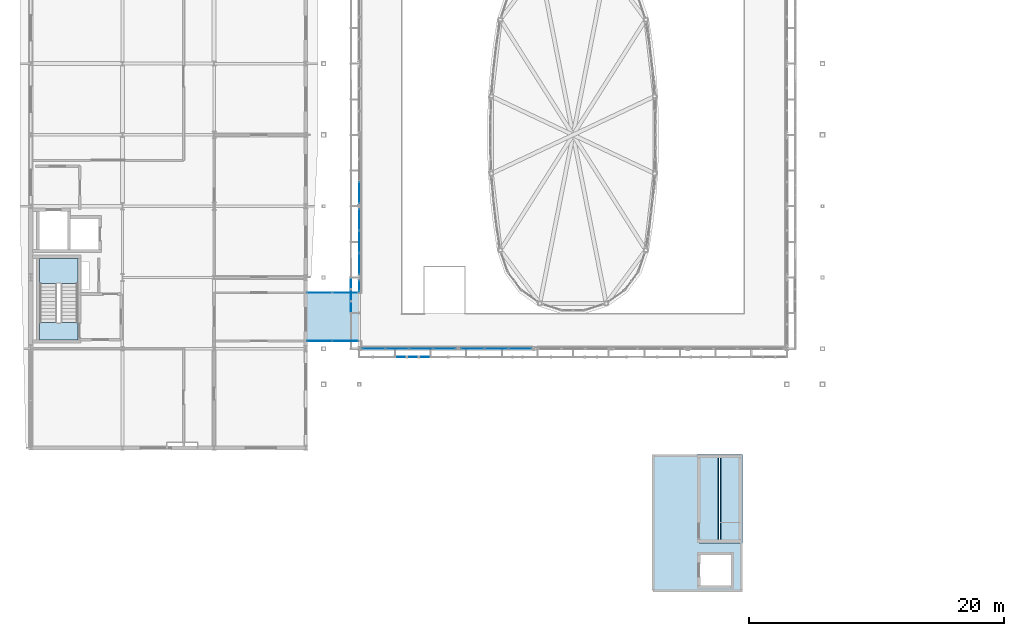
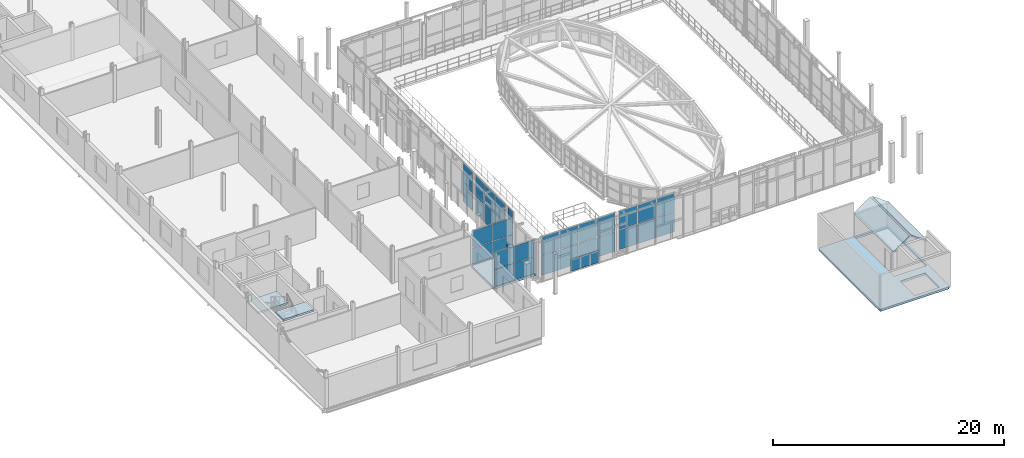
# One storey, part 50 of 78: 34 plates, 6 slabs, 8 elements without a shape of their own.
"""IFC4 building model written with IfcOpenShell, lengths in metres."""

from ifc_helpers import new_model, si_unit, direction, frame, origin, origin_2d, place, context, subcontext, project, spatial, polyline, rectangle, outline, extrude, material, layer, layer_set, type_object, element, aggregate, save


model = new_model("IFC4")

# Units and contexts
model_context = context("Model", 3, precision=1e-05, world=origin(), true_north=direction((0.0, 1.0)))
body_context = subcontext(model_context, "Body", "Model", "MODEL_VIEW")
ifc_project = project(units=[si_unit("LENGTHUNIT", "METRE"), si_unit("AREAUNIT", "SQUARE_METRE"), si_unit("VOLUMEUNIT", "CUBIC_METRE"), si_unit("PLANEANGLEUNIT", "RADIAN"), si_unit("MASSUNIT", "GRAM", prefix="KILO")], contexts=[model_context])

# Site, building, storey
site_placement = place(None, origin())
site = spatial("IfcSite", under=ifc_project, at=site_placement, CompositionType="ELEMENT")
building_placement = place(site_placement, origin())
building = spatial("IfcBuilding", under=site, at=building_placement, Name="Vinh Khe Railworks Police Headquarters", CompositionType="ELEMENT")
storey_placement = place(building_placement, frame((0.0, 0.0, 13.199951171875)))
storey = spatial("IfcBuildingStorey", under=building, at=storey_placement, Name="L03", CompositionType="ELEMENT", Elevation=13.199951171875)

# Curtain wall, plates
ifc_material_1 = material(Name="Anodised aluminium and low-iron glass", Category="aluminium")
ifc_layer_1 = layer(ifc_material_1, 0.179931640625)
ifc_layer_set_1 = layer_set([ifc_layer_1], Name="Anodised aluminium and low-iron glass")
curtain_wall_type_1 = type_object("IfcCurtainWallType", Name="CW-CUBE-UNIT", PredefinedType="USERDEFINED", material=ifc_layer_set_1)
curtain_wall_1_placement = place(storey_placement, origin())
curtain_wall_1 = element("IfcCurtainWall", 1, at=curtain_wall_1_placement, inside=storey, type_object=curtain_wall_type_1, Name="Entrance Hall Curtain Wall L03 S-1", ObjectType="UNITISED GLAZING", PredefinedType="USERDEFINED")
ifc_material_2 = material(Name="Low-iron laminated solar-control glass", Category="glass")
ifc_layer_2 = layer(ifc_material_2, 0.028076171875)
ifc_layer_set_2 = layer_set([ifc_layer_2], Name="Low-iron laminated solar-control glass")
plate_type_1 = type_object("IfcPlateType", Name="PAN-GLZ-28", PredefinedType="CURTAIN_PANEL", material=ifc_layer_set_2)
plate_1_placement = place(storey_placement, frame((27.536865234375, 25.199951171875, 0.070068359375), z_axis=(0.0, 0.0, 1.0), x_axis=(1.0, 0.0, 0.0)))
plate_1 = element("IfcPlate", 2, at=plate_1_placement, type_object=plate_type_1, Name="CW-01 panel 1.1", PredefinedType="CURTAIN_PANEL", context=body_context, shape_type="SweptSolid", body=[
    extrude(rectangle(XDim=1.763671875, YDim=0.028076171875, at=origin_2d()), origin(), (0.0, 0.0, 1.0), 2.0791015625),
])
plate_2_placement = place(storey_placement, frame((27.536865234375, 25.199951171875, 2.21923828125), z_axis=(0.0, 0.0, 1.0), x_axis=(1.0, 0.0, 0.0)))
plate_2 = element("IfcPlate", 3, at=plate_2_placement, type_object=plate_type_1, Name="CW-01 panel 1.2", PredefinedType="CURTAIN_PANEL", context=body_context, shape_type="SweptSolid", body=[
    extrude(rectangle(XDim=1.763671875, YDim=0.028076171875, at=origin_2d()), origin(), (0.0, 0.0, 1.0), 1.910888671875),
])
plate_3_placement = place(storey_placement, frame((29.38818359375, 25.199951171875, 0.070068359375), z_axis=(0.0, 0.0, 1.0), x_axis=(1.0, 0.0, 0.0)))
plate_3 = element("IfcPlate", 4, at=plate_3_placement, type_object=plate_type_1, Name="CW-01 panel 2.1", PredefinedType="CURTAIN_PANEL", context=body_context, shape_type="SweptSolid", body=[
    extrude(rectangle(XDim=1.798828125, YDim=0.028076171875, at=origin_2d()), origin(), (0.0, 0.0, 1.0), 2.0791015625),
])
plate_4_placement = place(storey_placement, frame((29.38818359375, 25.199951171875, 2.21923828125), z_axis=(0.0, 0.0, 1.0), x_axis=(1.0, 0.0, 0.0)))
plate_4 = element("IfcPlate", 5, at=plate_4_placement, type_object=plate_type_1, Name="CW-01 panel 2.2", PredefinedType="CURTAIN_PANEL", context=body_context, shape_type="SweptSolid", body=[
    extrude(rectangle(XDim=1.798828125, YDim=0.028076171875, at=origin_2d()), origin(), (0.0, 0.0, 1.0), 1.910888671875),
])
plate_5_placement = place(storey_placement, frame((31.2568359375, 25.199951171875, 0.070068359375), z_axis=(0.0, 0.0, 1.0), x_axis=(1.0, 0.0, 0.0)))
plate_5 = element("IfcPlate", 6, at=plate_5_placement, type_object=plate_type_1, Name="CW-01 panel 3.1", PredefinedType="CURTAIN_PANEL", context=body_context, shape_type="SweptSolid", body=[
    extrude(rectangle(XDim=1.798828125, YDim=0.028076171875, at=origin_2d()), origin(), (0.0, 0.0, 1.0), 2.0791015625),
])
plate_6_placement = place(storey_placement, frame((31.2568359375, 25.199951171875, 2.21923828125), z_axis=(0.0, 0.0, 1.0), x_axis=(1.0, 0.0, 0.0)))
plate_6 = element("IfcPlate", 7, at=plate_6_placement, type_object=plate_type_1, Name="CW-01 panel 3.2", PredefinedType="CURTAIN_PANEL", context=body_context, shape_type="SweptSolid", body=[
    extrude(rectangle(XDim=1.798828125, YDim=0.028076171875, at=origin_2d()), origin(), (0.0, 0.0, 1.0), 1.910888671875),
])
plate_7_placement = place(storey_placement, frame((33.108154296875, 25.199951171875, 0.070068359375), z_axis=(0.0, 0.0, 1.0), x_axis=(1.0, 0.0, 0.0)))
plate_7 = element("IfcPlate", 8, at=plate_7_placement, type_object=plate_type_1, Name="CW-01 panel 4.1", PredefinedType="CURTAIN_PANEL", context=body_context, shape_type="SweptSolid", body=[
    extrude(rectangle(XDim=1.763671875, YDim=0.028076171875, at=origin_2d()), origin(), (0.0, 0.0, 1.0), 2.0791015625),
])
plate_8_placement = place(storey_placement, frame((33.108154296875, 25.199951171875, 2.21923828125), z_axis=(0.0, 0.0, 1.0), x_axis=(1.0, 0.0, 0.0)))
plate_8 = element("IfcPlate", 9, at=plate_8_placement, type_object=plate_type_1, Name="CW-01 panel 4.2", PredefinedType="CURTAIN_PANEL", context=body_context, shape_type="SweptSolid", body=[
    extrude(rectangle(XDim=1.763671875, YDim=0.028076171875, at=origin_2d()), origin(), (0.0, 0.0, 1.0), 1.910888671875),
])
aggregate(curtain_wall_1, [plate_1, plate_2, plate_3, plate_4, plate_5, plate_6, plate_7, plate_8])

curtain_wall_2_placement = place(storey_placement, origin())
curtain_wall_2 = element("IfcCurtainWall", 10, at=curtain_wall_2_placement, inside=storey, type_object=curtain_wall_type_1, Name="Entrance Hall Curtain Wall L03 S-2", ObjectType="UNITISED GLAZING", PredefinedType="USERDEFINED")
plate_9_placement = place(storey_placement, frame((35.3017578125, 25.199951171875, 0.070068359375), z_axis=(0.0, 0.0, 1.0), x_axis=(1.0, 0.0, 0.0)))
plate_9 = element("IfcPlate", 11, at=plate_9_placement, type_object=plate_type_1, Name="CW-01 panel 1.1", PredefinedType="CURTAIN_PANEL", context=body_context, shape_type="SweptSolid", body=[
    extrude(rectangle(XDim=1.783447265625, YDim=0.028076171875, at=origin_2d()), origin(), (0.0, 0.0, 1.0), 2.0791015625),
])
plate_10_placement = place(storey_placement, frame((35.3017578125, 25.199951171875, 2.21923828125), z_axis=(0.0, 0.0, 1.0), x_axis=(1.0, 0.0, 0.0)))
plate_10 = element("IfcPlate", 12, at=plate_10_placement, type_object=plate_type_1, Name="CW-01 panel 1.2", PredefinedType="CURTAIN_PANEL", context=body_context, shape_type="SweptSolid", body=[
    extrude(rectangle(XDim=1.783447265625, YDim=0.028076171875, at=origin_2d()), origin(), (0.0, 0.0, 1.0), 1.910888671875),
])
plate_11_placement = place(storey_placement, frame((37.172607421875, 25.199951171875, 0.070068359375), z_axis=(0.0, 0.0, 1.0), x_axis=(1.0, 0.0, 0.0)))
plate_11 = element("IfcPlate", 13, at=plate_11_placement, type_object=plate_type_1, Name="CW-01 panel 2.1", PredefinedType="CURTAIN_PANEL", context=body_context, shape_type="SweptSolid", body=[
    extrude(rectangle(XDim=1.818359375, YDim=0.028076171875, at=origin_2d()), origin(), (0.0, 0.0, 1.0), 2.0791015625),
])
plate_12_placement = place(storey_placement, frame((37.172607421875, 25.199951171875, 2.21923828125), z_axis=(0.0, 0.0, 1.0), x_axis=(1.0, 0.0, 0.0)))
plate_12 = element("IfcPlate", 14, at=plate_12_placement, type_object=plate_type_1, Name="CW-01 panel 2.2", PredefinedType="CURTAIN_PANEL", context=body_context, shape_type="SweptSolid", body=[
    extrude(rectangle(XDim=1.818359375, YDim=0.028076171875, at=origin_2d()), origin(), (0.0, 0.0, 1.0), 1.910888671875),
])
plate_13_placement = place(storey_placement, frame((39.043212890625, 25.199951171875, 0.070068359375), z_axis=(0.0, 0.0, 1.0), x_axis=(1.0, 0.0, 0.0)))
plate_13 = element("IfcPlate", 15, at=plate_13_placement, type_object=plate_type_1, Name="CW-01 panel 3.1", PredefinedType="CURTAIN_PANEL", context=body_context, shape_type="SweptSolid", body=[
    extrude(rectangle(XDim=1.783447265625, YDim=0.028076171875, at=origin_2d()), origin(), (0.0, 0.0, 1.0), 2.0791015625),
])
plate_14_placement = place(storey_placement, frame((39.043212890625, 25.199951171875, 2.21923828125), z_axis=(0.0, 0.0, 1.0), x_axis=(1.0, 0.0, 0.0)))
plate_14 = element("IfcPlate", 16, at=plate_14_placement, type_object=plate_type_1, Name="CW-01 panel 3.2", PredefinedType="CURTAIN_PANEL", context=body_context, shape_type="SweptSolid", body=[
    extrude(rectangle(XDim=1.783447265625, YDim=0.028076171875, at=origin_2d()), origin(), (0.0, 0.0, 1.0), 1.910888671875),
])
aggregate(curtain_wall_2, [plate_9, plate_10, plate_11, plate_12, plate_13, plate_14])

curtain_wall_3_placement = place(storey_placement, origin())
curtain_wall_3 = element("IfcCurtainWall", 17, at=curtain_wall_3_placement, inside=storey, type_object=curtain_wall_type_1, Name="Entrance Hall Curtain Wall L03 W-1N", ObjectType="UNITISED GLAZING", PredefinedType="USERDEFINED")
plate_15_placement = place(storey_placement, frame((26.39990234375, 30.125, 0.070068359375), z_axis=(0.0, 0.0, 1.0), x_axis=(0.0, 1.0, 0.0)))
plate_15 = element("IfcPlate", 18, at=plate_15_placement, type_object=plate_type_1, Name="CW-01 panel 1.1", PredefinedType="CURTAIN_PANEL", context=body_context, shape_type="SweptSolid", body=[
    extrude(rectangle(XDim=0.8701171875, YDim=0.028076171875, at=origin_2d()), origin(), (0.0, 0.0, 1.0), 2.0791015625),
])
plate_16_placement = place(storey_placement, frame((26.39990234375, 30.125, 2.21923828125), z_axis=(0.0, 0.0, 1.0), x_axis=(0.0, 1.0, 0.0)))
plate_16 = element("IfcPlate", 19, at=plate_16_placement, type_object=plate_type_1, Name="CW-01 panel 1.2", PredefinedType="CURTAIN_PANEL", context=body_context, shape_type="SweptSolid", body=[
    extrude(rectangle(XDim=0.8701171875, YDim=0.028076171875, at=origin_2d()), origin(), (0.0, 0.0, 1.0), 1.910888671875),
])
aggregate(curtain_wall_3, [plate_15, plate_16])

curtain_wall_4_placement = place(storey_placement, origin())
curtain_wall_4 = element("IfcCurtainWall", 20, at=curtain_wall_4_placement, inside=storey, type_object=curtain_wall_type_1, Name="Entrance Hall Curtain Wall L03 W-2", ObjectType="UNITISED GLAZING", PredefinedType="USERDEFINED")
plate_17_placement = place(storey_placement, frame((26.39990234375, 31.86572265625, 0.070068359375), z_axis=(0.0, 0.0, 1.0), x_axis=(0.0, 1.0, 0.0)))
plate_17 = element("IfcPlate", 21, at=plate_17_placement, type_object=plate_type_1, Name="CW-01 panel 1.1", PredefinedType="CURTAIN_PANEL", context=body_context, shape_type="SweptSolid", body=[
    extrude(rectangle(XDim=1.651611328125, YDim=0.028076171875, at=origin_2d()), origin(), (0.0, 0.0, 1.0), 2.0791015625),
])
plate_18_placement = place(storey_placement, frame((26.39990234375, 31.86572265625, 2.21923828125), z_axis=(0.0, 0.0, 1.0), x_axis=(0.0, 1.0, 0.0)))
plate_18 = element("IfcPlate", 22, at=plate_18_placement, type_object=plate_type_1, Name="CW-01 panel 1.2", PredefinedType="CURTAIN_PANEL", context=body_context, shape_type="SweptSolid", body=[
    extrude(rectangle(XDim=1.651611328125, YDim=0.028076171875, at=origin_2d()), origin(), (0.0, 0.0, 1.0), 1.910888671875),
])
plate_19_placement = place(storey_placement, frame((26.39990234375, 33.60498046875, 0.070068359375), z_axis=(0.0, 0.0, 1.0), x_axis=(0.0, 1.0, 0.0)))
plate_19 = element("IfcPlate", 23, at=plate_19_placement, type_object=plate_type_1, Name="CW-01 panel 2.1", PredefinedType="CURTAIN_PANEL", context=body_context, shape_type="SweptSolid", body=[
    extrude(rectangle(XDim=1.686767578125, YDim=0.028076171875, at=origin_2d()), origin(), (0.0, 0.0, 1.0), 2.0791015625),
])
plate_20_placement = place(storey_placement, frame((26.39990234375, 33.60498046875, 2.21923828125), z_axis=(0.0, 0.0, 1.0), x_axis=(0.0, 1.0, 0.0)))
plate_20 = element("IfcPlate", 24, at=plate_20_placement, type_object=plate_type_1, Name="CW-01 panel 2.2", PredefinedType="CURTAIN_PANEL", context=body_context, shape_type="SweptSolid", body=[
    extrude(rectangle(XDim=1.686767578125, YDim=0.028076171875, at=origin_2d()), origin(), (0.0, 0.0, 1.0), 1.910888671875),
])
plate_21_placement = place(storey_placement, frame((26.39990234375, 35.34423828125, 0.070068359375), z_axis=(0.0, 0.0, 1.0), x_axis=(0.0, 1.0, 0.0)))
plate_21 = element("IfcPlate", 25, at=plate_21_placement, type_object=plate_type_1, Name="CW-01 panel 3.1", PredefinedType="CURTAIN_PANEL", context=body_context, shape_type="SweptSolid", body=[
    extrude(rectangle(XDim=1.651611328125, YDim=0.028076171875, at=origin_2d()), origin(), (0.0, 0.0, 1.0), 2.0791015625),
])
plate_22_placement = place(storey_placement, frame((26.39990234375, 35.34423828125, 2.21923828125), z_axis=(0.0, 0.0, 1.0), x_axis=(0.0, 1.0, 0.0)))
plate_22 = element("IfcPlate", 26, at=plate_22_placement, type_object=plate_type_1, Name="CW-01 panel 3.2", PredefinedType="CURTAIN_PANEL", context=body_context, shape_type="SweptSolid", body=[
    extrude(rectangle(XDim=1.651611328125, YDim=0.028076171875, at=origin_2d()), origin(), (0.0, 0.0, 1.0), 1.910888671875),
])
aggregate(curtain_wall_4, [plate_17, plate_18, plate_19, plate_20, plate_21, plate_22])

curtain_wall_5_placement = place(storey_placement, origin())
curtain_wall_5 = element("IfcCurtainWall", 27, at=curtain_wall_5_placement, inside=storey, type_object=curtain_wall_type_1, Name="Entrance Hall Curtain Wall L03 W-3", ObjectType="UNITISED GLAZING", PredefinedType="USERDEFINED")
plate_23_placement = place(storey_placement, frame((26.39990234375, 37.4609375, 0.070068359375), z_axis=(0.0, 0.0, 1.0), x_axis=(0.0, 1.0, 0.0)))
plate_23 = element("IfcPlate", 28, at=plate_23_placement, type_object=plate_type_1, Name="CW-01 panel 1.1", PredefinedType="CURTAIN_PANEL", context=body_context, shape_type="SweptSolid", body=[
    extrude(rectangle(XDim=1.66162109375, YDim=0.028076171875, at=origin_2d()), origin(), (0.0, 0.0, 1.0), 2.0791015625),
])
plate_24_placement = place(storey_placement, frame((26.39990234375, 37.4609375, 2.21923828125), z_axis=(0.0, 0.0, 1.0), x_axis=(0.0, 1.0, 0.0)))
plate_24 = element("IfcPlate", 29, at=plate_24_placement, type_object=plate_type_1, Name="CW-01 panel 1.2", PredefinedType="CURTAIN_PANEL", context=body_context, shape_type="SweptSolid", body=[
    extrude(rectangle(XDim=1.66162109375, YDim=0.028076171875, at=origin_2d()), origin(), (0.0, 0.0, 1.0), 1.910888671875),
])
aggregate(curtain_wall_5, [plate_23, plate_24])

ifc_material_3 = material(Name="Anodised aluminium and solar-control glass", Category="aluminium")
ifc_layer_3 = layer(ifc_material_3, 0.159912109375)
ifc_layer_set_3 = layer_set([ifc_layer_3], Name="Anodised aluminium and solar-control glass")
curtain_wall_type_2 = type_object("IfcCurtainWallType", Name="CW-SHOPFRONT", PredefinedType="USERDEFINED", material=ifc_layer_set_3)
curtain_wall_6_placement = place(storey_placement, origin())
curtain_wall_6 = element("IfcCurtainWall", 30, at=curtain_wall_6_placement, inside=storey, type_object=curtain_wall_type_2, Name="Atrium Stair Link Glazing L03-S", ObjectType="UNITISED GLAZING", PredefinedType="USERDEFINED")
plate_25_placement = place(storey_placement, frame((23.2900390625, 25.800048828125, 0.06005859375), z_axis=(0.0, 0.0, 1.0), x_axis=(1.0, 0.0, 0.0)))
plate_25 = element("IfcPlate", 31, at=plate_25_placement, type_object=plate_type_1, Name="CW-03 panel 1.1", PredefinedType="CURTAIN_PANEL", context=body_context, shape_type="SweptSolid", body=[
    extrude(rectangle(XDim=1.9599609375, YDim=0.028076171875, at=origin_2d()), origin(), (0.0, 0.0, 1.0), 1.760009765625),
])
plate_26_placement = place(storey_placement, frame((23.2900390625, 25.800048828125, 1.8798828125), z_axis=(0.0, 0.0, 1.0), x_axis=(1.0, 0.0, 0.0)))
plate_26 = element("IfcPlate", 32, at=plate_26_placement, type_object=plate_type_1, Name="CW-03 panel 1.2", PredefinedType="CURTAIN_PANEL", context=body_context, shape_type="SweptSolid", body=[
    extrude(rectangle(XDim=1.9599609375, YDim=0.028076171875, at=origin_2d()), origin(), (0.0, 0.0, 1.0), 1.760009765625),
])
plate_27_placement = place(storey_placement, frame((25.31005859375, 25.800048828125, 0.06005859375), z_axis=(0.0, 0.0, 1.0), x_axis=(1.0, 0.0, 0.0)))
plate_27 = element("IfcPlate", 33, at=plate_27_placement, type_object=plate_type_1, Name="CW-03 panel 2.1", PredefinedType="CURTAIN_PANEL", context=body_context, shape_type="SweptSolid", body=[
    extrude(rectangle(XDim=1.9599609375, YDim=0.028076171875, at=origin_2d()), origin(), (0.0, 0.0, 1.0), 1.760009765625),
])
plate_28_placement = place(storey_placement, frame((25.31005859375, 25.800048828125, 1.8798828125), z_axis=(0.0, 0.0, 1.0), x_axis=(1.0, 0.0, 0.0)))
plate_28 = element("IfcPlate", 34, at=plate_28_placement, type_object=plate_type_1, Name="CW-03 panel 2.2", PredefinedType="CURTAIN_PANEL", context=body_context, shape_type="SweptSolid", body=[
    extrude(rectangle(XDim=1.9599609375, YDim=0.028076171875, at=origin_2d()), origin(), (0.0, 0.0, 1.0), 1.760009765625),
])
aggregate(curtain_wall_6, [plate_25, plate_26, plate_27, plate_28])

curtain_wall_7_placement = place(storey_placement, origin())
curtain_wall_7 = element("IfcCurtainWall", 35, at=curtain_wall_7_placement, inside=storey, type_object=curtain_wall_type_2, Name="Atrium Stair Link Glazing L03-N", ObjectType="UNITISED GLAZING", PredefinedType="USERDEFINED")
plate_29_placement = place(storey_placement, frame((23.2900390625, 29.60009765625, 0.06005859375), z_axis=(0.0, 0.0, 1.0), x_axis=(1.0, 0.0, 0.0)))
plate_29 = element("IfcPlate", 36, at=plate_29_placement, type_object=plate_type_1, Name="CW-03 panel 1.1", PredefinedType="CURTAIN_PANEL", context=body_context, shape_type="SweptSolid", body=[
    extrude(rectangle(XDim=1.9599609375, YDim=0.028076171875, at=origin_2d()), origin(), (0.0, 0.0, 1.0), 1.760009765625),
])
plate_30_placement = place(storey_placement, frame((23.2900390625, 29.60009765625, 1.8798828125), z_axis=(0.0, 0.0, 1.0), x_axis=(1.0, 0.0, 0.0)))
plate_30 = element("IfcPlate", 37, at=plate_30_placement, type_object=plate_type_1, Name="CW-03 panel 1.2", PredefinedType="CURTAIN_PANEL", context=body_context, shape_type="SweptSolid", body=[
    extrude(rectangle(XDim=1.9599609375, YDim=0.028076171875, at=origin_2d()), origin(), (0.0, 0.0, 1.0), 1.760009765625),
])
plate_31_placement = place(storey_placement, frame((25.31005859375, 29.60009765625, 0.06005859375), z_axis=(0.0, 0.0, 1.0), x_axis=(1.0, 0.0, 0.0)))
plate_31 = element("IfcPlate", 38, at=plate_31_placement, type_object=plate_type_1, Name="CW-03 panel 2.1", PredefinedType="CURTAIN_PANEL", context=body_context, shape_type="SweptSolid", body=[
    extrude(rectangle(XDim=1.9599609375, YDim=0.028076171875, at=origin_2d()), origin(), (0.0, 0.0, 1.0), 1.760009765625),
])
plate_32_placement = place(storey_placement, frame((25.31005859375, 29.60009765625, 1.8798828125), z_axis=(0.0, 0.0, 1.0), x_axis=(1.0, 0.0, 0.0)))
plate_32 = element("IfcPlate", 39, at=plate_32_placement, type_object=plate_type_1, Name="CW-03 panel 2.2", PredefinedType="CURTAIN_PANEL", context=body_context, shape_type="SweptSolid", body=[
    extrude(rectangle(XDim=1.9599609375, YDim=0.028076171875, at=origin_2d()), origin(), (0.0, 0.0, 1.0), 1.760009765625),
])
aggregate(curtain_wall_7, [plate_29, plate_30, plate_31, plate_32])

# Plates
ifc_material_4 = material(Name="Salvaged ironwood timber", Category="wood")
ifc_layer_4 = layer(ifc_material_4, 0.050048828125)
ifc_layer_set_4 = layer_set([ifc_layer_4], Name="Salvaged ironwood timber")
plate_type_2 = type_object("IfcPlateType", Name="PLT-QP-03", PredefinedType="SHEET", material=ifc_layer_set_4)
for number, where, z_axis, x_axis, name in (
    (40, (30.60009765625, 24.550048828125, 0.0), (0.0, 0.0, 1.0), (1.0, 0.0, 0.0), "Salvaged Ironwood Panelled Casement S-2"),
    (41, (25.75, 29.39990234375, 0.0), (0.0, 0.0, 1.0), (0.0, 1.0, 0.0), "Salvaged Ironwood Panelled Casement W-2"),
):
    element("IfcPlate", number, at=place(storey_placement, frame(where, z_axis=z_axis, x_axis=x_axis)), inside=storey, type_object=plate_type_2, Name=name, PredefinedType="SHEET", context=body_context, shape_type="SweptSolid", body=[
        extrude(rectangle(XDim=2.800048828125, YDim=0.050048828125, at=origin_2d()), origin(), (0.0, 0.0, 1.0), 1.260009765625),
    ])

# Stair, slabs
ifc_material_5 = material(Name="Precast concrete C40/50 (B40)", Category="concrete")
stair_type = type_object("IfcStairType", Name="ST-CORE-DOGLEG", PredefinedType="HALF_TURN_STAIR", material=ifc_material_5)
stair_placement = place(storey_placement, origin())
stair = element("IfcStair", 42, at=stair_placement, inside=storey, type_object=stair_type, Name="L03 Escape Stair ST-01", PredefinedType="HALF_TURN_STAIR")
ifc_material_6 = material(Name="Concrete C35/45 (B35)", Category="concrete")
ifc_layer_5 = layer(ifc_material_6, 0.199951171875)
ifc_layer_set_5 = layer_set([ifc_layer_5], Name="Concrete C35/45 (B35)")
slab_type_1 = type_object("IfcSlabType", Name="SLB-LAND-200", PredefinedType="LANDING", material=ifc_layer_set_5)
slab_1_placement = place(storey_placement, frame((0.0, 0.0, 1.75)))
slab_1 = element("IfcSlab", 43, at=slab_1_placement, type_object=slab_type_1, Name="ST-01 landing 1", PredefinedType="LANDING", context=body_context, shape_type="SweptSolid", body=[
    extrude(outline(polyline([(4.300048828125, 30.330078125), (4.300048828125, 32.300048828125), (1.300048828125, 32.300048828125), (1.300048828125, 30.330078125), (4.300048828125, 30.330078125)])), origin(), (0.0, 0.0, 1.0), 0.199951171875),
])
slab_2_placement = place(storey_placement, frame((0.0, 0.0, 3.699951171875)))
slab_2 = element("IfcSlab", 44, at=slab_2_placement, type_object=slab_type_1, Name="ST-01 landing 2", PredefinedType="LANDING", context=body_context, shape_type="SweptSolid", body=[
    extrude(outline(polyline([(1.280029296875, 25.8798828125), (4.320068359375, 25.8798828125), (4.320068359375, 27.260009765625), (1.280029296875, 27.260009765625), (1.280029296875, 25.8798828125)])), origin(), (0.0, 0.0, 1.0), 0.2001953125),
])
aggregate(stair, [slab_1, slab_2])

# Slabs
ifc_layer_6 = layer(ifc_material_6, 0.219970703125)
ifc_layer_set_6 = layer_set([ifc_layer_6], Name="Concrete C35/45 (B35)")
slab_type_2 = type_object("IfcSlabType", Name="SLB-LOBBY-220", PredefinedType="FLOOR", material=ifc_layer_set_6)
slab_3_placement = place(storey_placement, frame((0.0, 0.0, -0.219970703125)))
element("IfcSlab", 45, at=slab_3_placement, inside=storey, type_object=slab_type_2, Name="Core C5 Upper Lobby Floor Slab L03", PredefinedType="FLOOR", context=body_context, shape_type="SweptSolid", body=[
    extrude(outline(polyline([(49.5, 6.199951171875), (56.35009765625, 6.199951171875), (56.5, 6.35009765625), (56.5, 16.89990234375), (49.64990234375, 16.89990234375), (49.5, 16.75), (49.5, 6.199951171875)]), holes=[polyline([(53.080078125, 16.699951171875), (56.320068359375, 16.699951171875), (56.320068359375, 9.949951171875), (53.080078125, 9.949951171875), (53.080078125, 16.699951171875)]), polyline([(53.159912109375, 9.0400390625), (55.639892578125, 9.0400390625), (55.639892578125, 6.56005859375), (53.159912109375, 6.56005859375), (53.159912109375, 9.0400390625)])]), origin(), (0.0, 0.0, 1.0), 0.219970703125),
])
ifc_layer_7 = layer(ifc_material_6, 0.139892578125)
ifc_layer_set_7 = layer_set([ifc_layer_7], Name="Concrete C35/45 (B35)")
slab_type_3 = type_object("IfcSlabType", Name="Stair Hood Sloped Roof 140", PredefinedType="ROOF", material=ifc_layer_set_7)
slab_4_placement = place(storey_placement, frame((53.0, 10.0, 2.550048828125), z_axis=(-0.585994662046, 0.0, 0.810314911657), x_axis=(0.810314911657, 0.0, 0.585994662046)))
element("IfcSlab", 46, at=slab_4_placement, inside=storey, type_object=slab_type_3, Name="Core C5 Stair Hood Roof (W)", PredefinedType="ROOF", context=body_context, shape_type="SweptSolid", body=[
    extrude(outline(polyline([(0.0, 0.0), (1.962308563930251, 0.0), (1.962308563930251, 6.800048828125), (0.0, 6.800048828125), (0.0, 0.0)])), origin(), (0.0, 0.0, -1.0), 0.139892578125),
])
slab_5_placement = place(storey_placement, frame((54.81005859375, 10.0, 3.699951171875), z_axis=(0.586053743691, 0.0, 0.81027218236), x_axis=(0.81027218236, 0.0, -0.586053743691)))
element("IfcSlab", 47, at=slab_5_placement, inside=storey, type_object=slab_type_3, Name="Core C5 Stair Hood Roof (E)", PredefinedType="ROOF", context=body_context, shape_type="SweptSolid", body=[
    extrude(outline(polyline([(0.0, 0.0), (1.9621107383569885, 0.0), (1.9621107383569885, 6.800048828125), (0.0, 6.800048828125), (0.0, 0.0)])), origin(), (0.0, 0.0, -1.0), 0.139892578125),
])
ifc_layer_8 = layer(ifc_material_6, 0.219970703125)
ifc_layer_set_8 = layer_set([ifc_layer_8], Name="Concrete C35/45 (B35)")
slab_type_4 = type_object("IfcSlabType", Name="Suspended Floor Slab 220", PredefinedType="FLOOR", material=ifc_layer_set_8)
slab_6_placement = place(storey_placement, frame((0.0, 0.0, -0.219970703125)))
element("IfcSlab", 48, at=slab_6_placement, inside=storey, type_object=slab_type_4, Name="V1-GLK Floor Slab (L03)", PredefinedType="FLOOR", context=body_context, shape_type="SweptSolid", body=[
    extrude(outline(polyline([(22.2099609375, 25.800048828125), (26.389892578125, 25.800048828125), (26.389892578125, 29.60009765625), (22.2099609375, 29.60009765625), (22.2099609375, 25.800048828125)])), origin(), (0.0, 0.0, 1.0), 0.219970703125),
])

save(model, "model.ifc")
